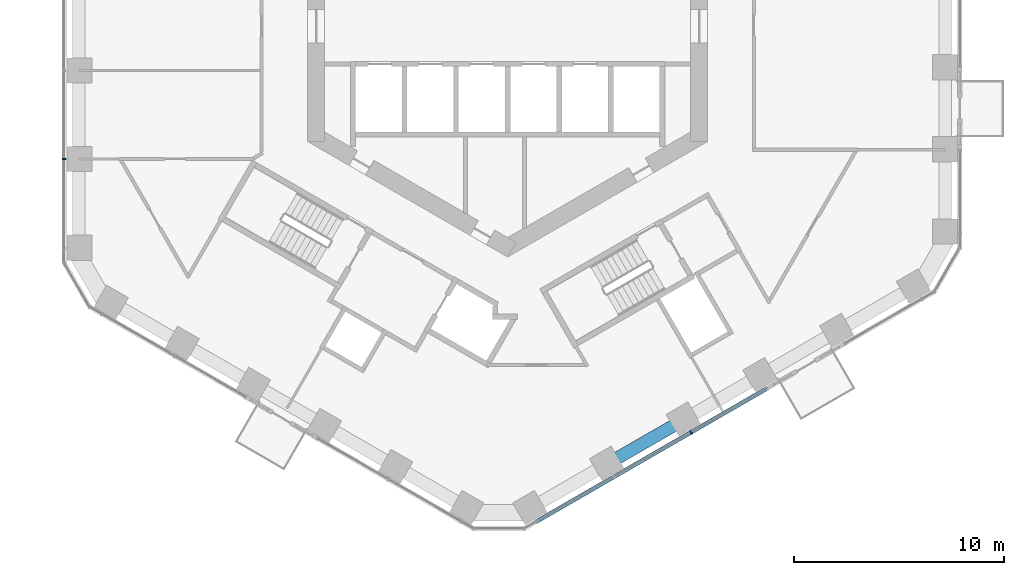
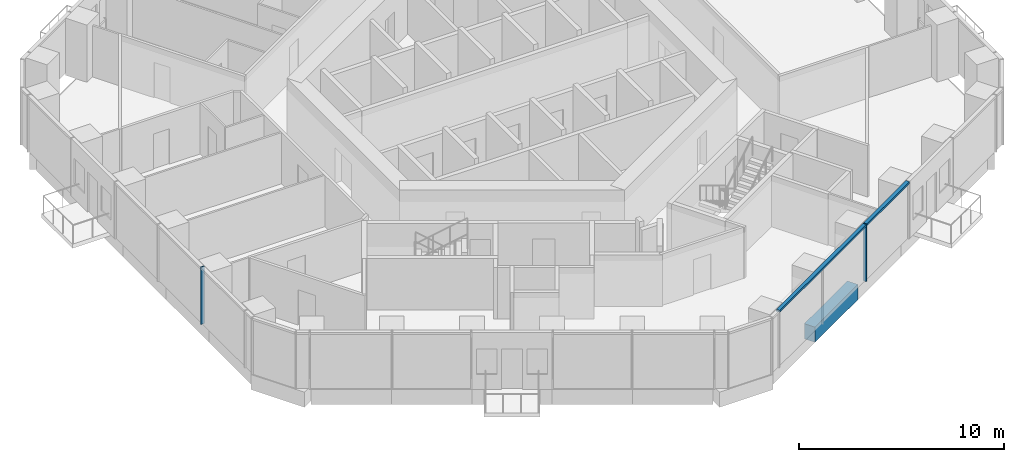
# One storey, part 3 of 20: 3 members, 1 beam, 2 elements without a shape of their own.
"""IFC4 building model written with IfcOpenShell, lengths in metres."""

from ifc_helpers import new_model, si_unit, direction, frame, origin, origin_2d, place, context, subcontext, project, spatial, rectangle, extrude, material, layer, layer_set, material_profile, profile_set, type_object, element, aggregate, save


model = new_model("IFC4")

# Units and contexts
model_context = context("Model", 3, precision=1e-05, world=origin(), true_north=direction((0.0, 1.0)))
body_context = subcontext(model_context, "Body", "Model", "MODEL_VIEW")
ifc_project = project(units=[si_unit("LENGTHUNIT", "METRE"), si_unit("AREAUNIT", "SQUARE_METRE"), si_unit("VOLUMEUNIT", "CUBIC_METRE"), si_unit("PLANEANGLEUNIT", "RADIAN"), si_unit("MASSUNIT", "GRAM", prefix="KILO")], contexts=[model_context])

# Site, building, storey
site_placement = place(None, origin())
site = spatial("IfcSite", under=ifc_project, at=site_placement, CompositionType="ELEMENT")
building_placement = place(site_placement, origin())
building = spatial("IfcBuilding", under=site, at=building_placement, Name="Ayvan Gate Tower", CompositionType="ELEMENT")
storey_placement = place(building_placement, frame((0.0, 0.0, 49.300048828125)))
storey = spatial("IfcBuildingStorey", under=building, at=storey_placement, Name="L12", CompositionType="ELEMENT", Elevation=49.300048828125)

# Beam
ifc_material_1 = material(Name="Concrete C40/50", Category="concrete")
ifc_material_profile_1 = material_profile(ifc_material_1, rectangle(XDim=0.60009765625, YDim=0.89990234375, at=origin_2d()), Name="RC 600x900")
ifc_profile_set_1 = profile_set([ifc_material_profile_1], Name="Concrete C40/50")
beam_type = type_object("IfcBeamType", Name="Spandrel beam RC 600x900 C40/50", PredefinedType="BEAM", material=ifc_profile_set_1)
beam_placement = place(storey_placement, frame((4.73583984375, -20.80224609375, -0.800048828125), z_axis=(0.866034573852, 0.49998411664, 0.0), x_axis=(-0.49998411664, 0.866034573852, 0.0)))
element("IfcBeam", 1, at=beam_placement, inside=storey, type_object=beam_type, Name="SB-L12-32", PredefinedType="BEAM", context=body_context, shape_type="SweptSolid", body=[
    extrude(rectangle(XDim=0.60009765625, YDim=0.89990234375, at=origin_2d()), origin(), (0.0, 0.0, 1.0), 4.199951171875),
])

# Curtain wall, member
ifc_material_2 = material(Name="Bronze anodised aluminium", Category="aluminium")
ifc_layer = layer(ifc_material_2, 0.199951171875)
ifc_layer_set = layer_set([ifc_layer], Name="Bronze anodised aluminium")
curtain_wall_type = type_object("IfcCurtainWallType", Name="Stick curtain wall CW-1", PredefinedType="NOTDEFINED", material=ifc_layer_set)
curtain_wall_1_placement = place(storey_placement, origin())
curtain_wall_1 = element("IfcCurtainWall", 2, at=curtain_wall_1_placement, inside=storey, type_object=curtain_wall_type, Name="Stick curtain wall CW-1 L12", PredefinedType="NOTDEFINED")
ifc_material_profile_2 = material_profile(ifc_material_2, rectangle(XDim=0.199951171875, YDim=0.06005859375, at=origin_2d()), Name="Stick curtain wall CW-1 mullion 200 x 60")
ifc_profile_set_2 = profile_set([ifc_material_profile_2], Name="Bronze anodised aluminium")
member_type_1 = type_object("IfcMemberType", Name="Stick curtain wall CW-1 mullion 200 x 60", PredefinedType="MULLION", material=ifc_profile_set_2)
member_1_placement = place(storey_placement, frame((-21.069091796875, -6.31494140625, 0.0), z_axis=(0.0, 0.0, 1.0), x_axis=(-1.0, 0.0, 0.0)))
member_1 = element("IfcMember", 3, at=member_1_placement, type_object=member_type_1, Name="CW-1 mullion 3", PredefinedType="MULLION", context=body_context, shape_type="SweptSolid", body=[
    extrude(rectangle(XDim=0.199951171875, YDim=0.06005859375, at=origin_2d()), origin(), (0.0, 0.0, 1.0), 3.39990234375),
])
aggregate(curtain_wall_1, [member_1])

# Curtain wall, members
curtain_wall_2_placement = place(storey_placement, origin())
curtain_wall_2 = element("IfcCurtainWall", 4, at=curtain_wall_2_placement, inside=storey, type_object=curtain_wall_type, Name="Stick curtain wall CW-1 L12", PredefinedType="NOTDEFINED")
member_2_placement = place(storey_placement, frame((8.711669921875, -19.298828125, 0.0), z_axis=(0.0, 0.0, 1.0), x_axis=(0.5, -0.866025403784, 0.0)))
member_2 = element("IfcMember", 5, at=member_2_placement, type_object=member_type_1, Name="CW-1 mullion 3", PredefinedType="MULLION", context=body_context, shape_type="SweptSolid", body=[
    extrude(rectangle(XDim=0.199951171875, YDim=0.06005859375, at=origin_2d()), origin(), (0.0, 0.0, 1.0), 3.39990234375),
])
ifc_material_profile_3 = material_profile(ifc_material_2, rectangle(XDim=0.199951171875, YDim=0.1201171875, at=origin_2d()), Name="Stick curtain wall CW-1 transom 200 x 120")
ifc_profile_set_3 = profile_set([ifc_material_profile_3], Name="Bronze anodised aluminium")
member_type_2 = type_object("IfcMemberType", Name="Stick curtain wall CW-1 transom 200 x 120", PredefinedType="USERDEFINED", material=ifc_profile_set_3)
member_3_placement = place(storey_placement, frame((1.380859375, -23.531494140625, 3.33984375), z_axis=(0.866020964154, 0.500007689586, 0.0), x_axis=(-0.500007689586, 0.866020964154, 0.0)))
member_3 = element("IfcMember", 6, at=member_3_placement, type_object=member_type_2, Name="CW-1 transom 1", ObjectType="TRANSOM", PredefinedType="USERDEFINED", context=body_context, shape_type="SweptSolid", body=[
    extrude(rectangle(XDim=0.199951171875, YDim=0.1201171875, at=origin_2d()), origin(), (0.0, 0.0, 1.0), 12.644775390625),
])
aggregate(curtain_wall_2, [member_2, member_3])

save(model, "model.ifc")
